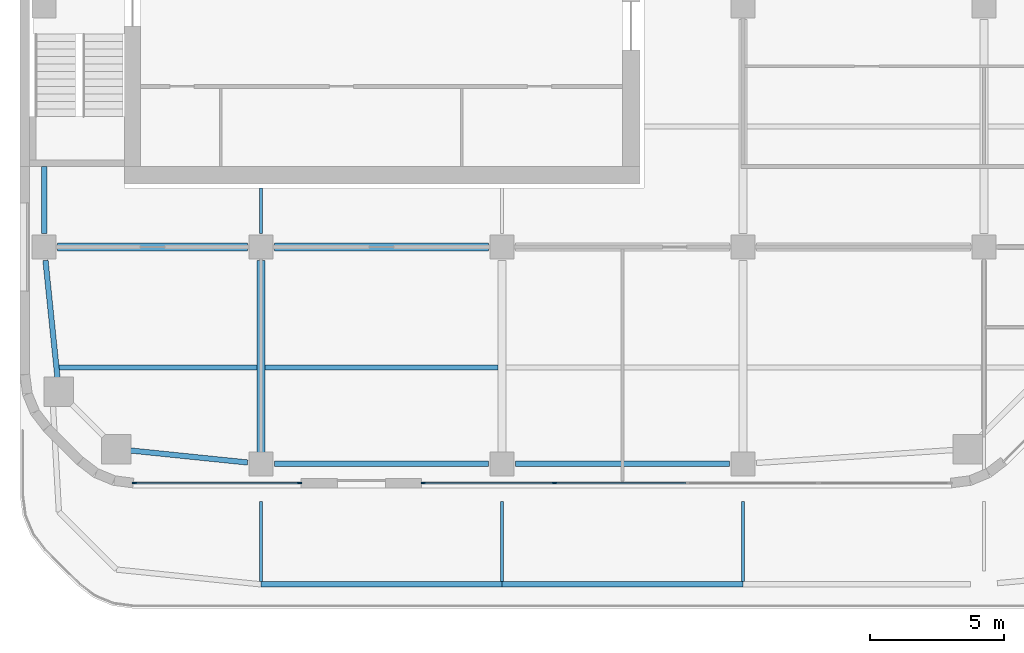
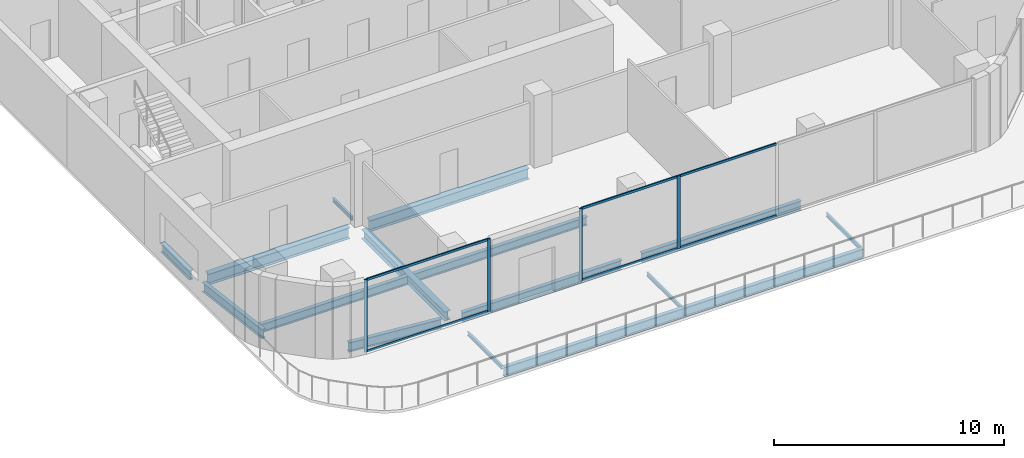
# One storey, part 2 of 29: 16 beams, 10 members, 2 elements without a shape of their own.
"""IFC4 building model written with IfcOpenShell, lengths in metres."""

from ifc_helpers import new_model, si_unit, direction, frame, origin, origin_2d, place, context, subcontext, project, spatial, rectangle, i_section, extrude, material, material_profile, profile_set, type_object, element, aggregate, save


model = new_model("IFC4")

# Units and contexts
model_context = context("Model", 3, precision=1e-05, world=origin(), true_north=direction((0.0, 1.0)))
body_context = subcontext(model_context, "Body", "Model", "MODEL_VIEW")
ifc_project = project(units=[si_unit("LENGTHUNIT", "METRE"), si_unit("AREAUNIT", "SQUARE_METRE"), si_unit("VOLUMEUNIT", "CUBIC_METRE"), si_unit("PLANEANGLEUNIT", "RADIAN"), si_unit("MASSUNIT", "GRAM", prefix="KILO")], contexts=[model_context])

# Site, building, storey
site_placement = place(None, origin())
site = spatial("IfcSite", under=ifc_project, at=site_placement, CompositionType="ELEMENT")
building_placement = place(site_placement, origin())
building = spatial("IfcBuilding", under=site, at=building_placement, Name="Cinnabar Reach Civic Tower", CompositionType="ELEMENT")
storey_placement = place(building_placement, frame((0.0, 0.0, 149.0)))
storey = spatial("IfcBuildingStorey", under=building, at=storey_placement, Name="L35", CompositionType="ELEMENT", Elevation=149.0)

# Beams
ifc_material_1 = material(Name="Steel Q355B", Category="steel")
ifc_material_profile_1 = material_profile(ifc_material_1, i_section(OverallWidth=0.3, OverallDepth=0.488, WebThickness=0.011, FlangeThickness=0.018, FilletRadius=0.016, at=origin_2d()), Name="HM488x300x11x18")
ifc_profile_set_1 = profile_set([ifc_material_profile_1], Name="Steel Q355B")
beam_type_1 = type_object("IfcBeamType", Name="HM488x300x11x18 beam R 180", PredefinedType="BEAM", material=ifc_profile_set_1)
beam_1_placement = place(storey_placement, frame((9.0, 10.252, -0.394), z_axis=(0.0, 1.0, 0.0), x_axis=(-1.0, 0.0, 0.0)))
element("IfcBeam", 1, at=beam_1_placement, inside=storey, type_object=beam_type_1, Name="Girder T1 L35 2", PredefinedType="BEAM", context=body_context, shape_type="SweptSolid", body=[
    extrude(i_section(OverallWidth=0.3, OverallDepth=0.488, WebThickness=0.011, FlangeThickness=0.018, FilletRadius=0.016, at=origin_2d()), origin(), (0.0, 0.0, 1.0), 7.246),
])
ifc_material_profile_2 = material_profile(ifc_material_1, i_section(OverallWidth=0.3, OverallDepth=0.588, WebThickness=0.012, FlangeThickness=0.02, FilletRadius=0.016, at=origin_2d()), Name="HM588x300x12x20")
ifc_profile_set_2 = profile_set([ifc_material_profile_2], Name="Steel Q355B")
beam_type_2 = type_object("IfcBeamType", Name="HM588x300x12x20 beam R 180", PredefinedType="BEAM", material=ifc_profile_set_2)
beam_2_placement = place(storey_placement, frame((1.402, 18.0, -0.444), z_axis=(1.0, 0.0, 0.0), x_axis=(0.0, 1.0, 0.0)))
element("IfcBeam", 2, at=beam_2_placement, inside=storey, type_object=beam_type_2, Name="Girder T1 L35 1", PredefinedType="BEAM", context=body_context, shape_type="SweptSolid", body=[
    extrude(i_section(OverallWidth=0.3, OverallDepth=0.588, WebThickness=0.012, FlangeThickness=0.02, FilletRadius=0.016, at=origin_2d()), origin(), (0.0, 0.0, 1.0), 7.096),
])
beam_3_placement = place(storey_placement, frame((9.502, 18.0, -0.444), z_axis=(1.0, 0.0, 0.0), x_axis=(0.0, 1.0, 0.0)))
element("IfcBeam", 3, at=beam_3_placement, inside=storey, type_object=beam_type_2, Name="Girder T1 L35 2", PredefinedType="BEAM", context=body_context, shape_type="SweptSolid", body=[
    extrude(i_section(OverallWidth=0.3, OverallDepth=0.588, WebThickness=0.012, FlangeThickness=0.02, FilletRadius=0.016, at=origin_2d()), origin(), (0.0, 0.0, 1.0), 7.996),
])
ifc_material_profile_3 = material_profile(ifc_material_1, i_section(OverallWidth=0.099, OverallDepth=0.198, WebThickness=0.0045, FlangeThickness=0.007, FilletRadius=0.013, at=origin_2d()), Name="HN200x100x5.5x8")
ifc_profile_set_3 = profile_set([ifc_material_profile_3], Name="Steel Q355B")
beam_type_3 = type_object("IfcBeamType", Name="HN200x100x5.5x8 beam R 180", PredefinedType="BEAM", material=ifc_profile_set_3)
beam_4_placement = place(storey_placement, frame((9.0, 5.5025, -0.249), z_axis=(0.0, 1.0, 0.0), x_axis=(-1.0, 0.0, 0.0)))
element("IfcBeam", 4, at=beam_4_placement, inside=storey, type_object=beam_type_3, Name="Girder T1 L35 1", PredefinedType="BEAM", context=body_context, shape_type="SweptSolid", body=[
    extrude(i_section(OverallWidth=0.099, OverallDepth=0.198, WebThickness=0.0045, FlangeThickness=0.007, FilletRadius=0.013, at=origin_2d()), origin(), (0.0, 0.0, 1.0), 2.9955),
])
beam_5_placement = place(storey_placement, frame((9.0, 18.502, -0.249), z_axis=(0.0, 1.0, 0.0), x_axis=(-1.0, 0.0, 0.0)))
element("IfcBeam", 5, at=beam_5_placement, inside=storey, type_object=beam_type_3, Name="Girder T1 L35 3", PredefinedType="BEAM", context=body_context, shape_type="SweptSolid", body=[
    extrude(i_section(OverallWidth=0.099, OverallDepth=0.198, WebThickness=0.0045, FlangeThickness=0.007, FilletRadius=0.013, at=origin_2d()), origin(), (0.0, 0.0, 1.0), 1.696),
])
for number, where, z_axis, x_axis, name in (
    (6, (18.0, 5.502, -0.249), (0.0, 1.0, 0.0), (-1.0, 0.0, 0.0), "Girder T1 L35 5"),
    (7, (27.0, 5.502, -0.249), (0.0, 1.0, 0.0), (-1.0, 0.0, 0.0), "Girder T1 L35 9"),
):
    element("IfcBeam", number, at=place(storey_placement, frame(where, z_axis=z_axis, x_axis=x_axis)), inside=storey, type_object=beam_type_3, Name=name, PredefinedType="BEAM", context=body_context, shape_type="SweptSolid", body=[
        extrude(i_section(OverallWidth=0.099, OverallDepth=0.198, WebThickness=0.0045, FlangeThickness=0.007, FilletRadius=0.013, at=origin_2d()), origin(), (0.0, 0.0, 1.0), 2.996),
    ])
ifc_material_profile_4 = material_profile(ifc_material_1, i_section(OverallWidth=0.2, OverallDepth=0.45, WebThickness=0.009, FlangeThickness=0.014, FilletRadius=0.016, at=origin_2d()), Name="HN450x200x9x14")
ifc_profile_set_4 = profile_set([ifc_material_profile_4], Name="Steel Q355B")
beam_type_4 = type_object("IfcBeamType", Name="HN450x200x9x14 beam R 180", PredefinedType="BEAM", material=ifc_profile_set_4)
beam_6_placement = place(storey_placement, frame((1.4636, 13.5, -0.375), z_axis=(1.0, 0.0, 0.0), x_axis=(0.0, 1.0, 0.0)))
element("IfcBeam", 8, at=beam_6_placement, inside=storey, type_object=beam_type_4, Name="Secondary beam T1 L35 1", PredefinedType="BEAM", context=body_context, shape_type="SweptSolid", body=[
    extrude(i_section(OverallWidth=0.2, OverallDepth=0.45, WebThickness=0.009, FlangeThickness=0.014, FilletRadius=0.016, at=origin_2d()), origin(), (0.0, 0.0, 1.0), 7.3844),
])
beam_7_placement = place(storey_placement, frame((9.152, 13.5, -0.375), z_axis=(1.0, 0.0, 0.0), x_axis=(0.0, 1.0, 0.0)))
element("IfcBeam", 9, at=beam_7_placement, inside=storey, type_object=beam_type_4, Name="Secondary beam T1 L35 2", PredefinedType="BEAM", context=body_context, shape_type="SweptSolid", body=[
    extrude(i_section(OverallWidth=0.2, OverallDepth=0.45, WebThickness=0.009, FlangeThickness=0.014, FilletRadius=0.016, at=origin_2d()), origin(), (0.0, 0.0, 1.0), 8.696),
])
ifc_material_profile_5 = material_profile(ifc_material_1, i_section(OverallWidth=0.2, OverallDepth=0.5, WebThickness=0.01, FlangeThickness=0.016, FilletRadius=0.016, at=origin_2d()), Name="HN500x200x10x16")
ifc_profile_set_5 = profile_set([ifc_material_profile_5], Name="Steel Q355B")
beam_type_5 = type_object("IfcBeamType", Name="HN500x200x10x16 beam R 180", PredefinedType="BEAM", material=ifc_profile_set_5)
beam_8_placement = place(storey_placement, frame((4.0839, 10.4037, -0.4), z_axis=(0.994791228755, -0.101933366432, 0.0), x_axis=(0.101933366432, 0.994791228755, 0.0)))
element("IfcBeam", 10, at=beam_8_placement, inside=storey, type_object=beam_type_5, Name="Edge beam T1 L35 1", PredefinedType="BEAM", context=body_context, shape_type="SweptSolid", body=[
    extrude(i_section(OverallWidth=0.2, OverallDepth=0.5, WebThickness=0.01, FlangeThickness=0.016, FilletRadius=0.016, at=origin_2d()), origin(), (0.0, 0.0, 1.0), 4.4372),
])
for number, where, z_axis, x_axis, name in (
    (11, (9.502, 9.9, -0.4), (1.0, 0.0, 0.0), (0.0, 1.0, 0.0), "Edge beam T1 L35 2"),
    (12, (18.502, 9.9, -0.4), (1.0, 0.0, 0.0), (0.0, 1.0, 0.0), "Edge beam T1 L35 3"),
):
    element("IfcBeam", number, at=place(storey_placement, frame(where, z_axis=z_axis, x_axis=x_axis)), inside=storey, type_object=beam_type_5, Name=name, PredefinedType="BEAM", context=body_context, shape_type="SweptSolid", body=[
        extrude(i_section(OverallWidth=0.2, OverallDepth=0.5, WebThickness=0.01, FlangeThickness=0.016, FilletRadius=0.016, at=origin_2d()), origin(), (0.0, 0.0, 1.0), 7.996),
    ])
beam_9_placement = place(storey_placement, frame((0.9, 20.998, -0.4), z_axis=(0.0, -1.0, 0.0), x_axis=(1.0, 0.0, 0.0)))
element("IfcBeam", 13, at=beam_9_placement, inside=storey, type_object=beam_type_5, Name="Edge beam T1 L35 19", PredefinedType="BEAM", context=body_context, shape_type="SweptSolid", body=[
    extrude(i_section(OverallWidth=0.2, OverallDepth=0.5, WebThickness=0.01, FlangeThickness=0.016, FilletRadius=0.016, at=origin_2d()), origin(), (0.0, 0.0, 1.0), 2.496),
])
beam_10_placement = place(storey_placement, frame((0.9514, 17.498, -0.4), z_axis=(0.101933366432, -0.994791228755, 0.0), x_axis=(0.994791228755, 0.101933366432, 0.0)))
element("IfcBeam", 14, at=beam_10_placement, inside=storey, type_object=beam_type_5, Name="Edge beam T1 L35 20", PredefinedType="BEAM", context=body_context, shape_type="SweptSolid", body=[
    extrude(i_section(OverallWidth=0.2, OverallDepth=0.5, WebThickness=0.01, FlangeThickness=0.016, FilletRadius=0.016, at=origin_2d()), origin(), (0.0, 0.0, 1.0), 4.4372),
])
for number, where, z_axis, x_axis, name in (
    (15, (9.0, 5.4, -0.4), (1.0, 0.0, 0.0), (0.0, 1.0, 0.0), "Edge beam T1 L35 23"),
    (16, (18.0, 5.4, -0.4), (1.0, 0.0, 0.0), (0.0, 1.0, 0.0), "Edge beam T1 L35 24"),
):
    element("IfcBeam", number, at=place(storey_placement, frame(where, z_axis=z_axis, x_axis=x_axis)), inside=storey, type_object=beam_type_5, Name=name, PredefinedType="BEAM", context=body_context, shape_type="SweptSolid", body=[
        extrude(i_section(OverallWidth=0.2, OverallDepth=0.5, WebThickness=0.01, FlangeThickness=0.016, FilletRadius=0.016, at=origin_2d()), origin(), (0.0, 0.0, 1.0), 9.0),
    ])

# Curtain wall, members
ifc_material_2 = material(Name="Aluminium and clear double glazing", Category="aluminium")
curtain_wall_type = type_object("IfcCurtainWallType", Name="Tower 1 sky lobby curtain wall", PredefinedType="NOTDEFINED", material=ifc_material_2)
curtain_wall_1_placement = place(storey_placement, origin())
curtain_wall_1 = element("IfcCurtainWall", 17, at=curtain_wall_1_placement, inside=storey, type_object=curtain_wall_type, Name="Tower 1 sky lobby 1", PredefinedType="NOTDEFINED")
ifc_material_3 = material(Name="Aluminium", Category="aluminium")
ifc_material_profile_6 = material_profile(ifc_material_3, rectangle(XDim=0.06, YDim=0.16, at=origin_2d()), Name="Tower 1 sky lobby mullion")
ifc_profile_set_6 = profile_set([ifc_material_profile_6], Name="Aluminium")
member_type_1 = type_object("IfcMemberType", Name="Tower 1 sky lobby mullion", PredefinedType="MULLION", material=ifc_profile_set_6)
member_1_placement = place(storey_placement, frame((4.2726, 9.18, 0.0), z_axis=(0.0, 0.0, 1.0), x_axis=(0.0, 1.0, 0.0)))
member_1 = element("IfcMember", 18, at=member_1_placement, type_object=member_type_1, Name="CW-T1SKY-1 mullion 1", PredefinedType="MULLION", context=body_context, shape_type="SweptSolid", body=[
    extrude(rectangle(XDim=0.06, YDim=0.16, at=origin_2d()), origin(), (0.0, 0.0, 1.0), 3.85),
])
member_2_placement = place(storey_placement, frame((10.44, 9.18, 0.0), z_axis=(0.0, 0.0, 1.0), x_axis=(0.0, 1.0, 0.0)))
member_2 = element("IfcMember", 19, at=member_2_placement, type_object=member_type_1, Name="CW-T1SKY-1 mullion 2", PredefinedType="MULLION", context=body_context, shape_type="SweptSolid", body=[
    extrude(rectangle(XDim=0.06, YDim=0.16, at=origin_2d()), origin(), (0.0, 0.0, 1.0), 3.85),
])

curtain_wall_2_placement = place(storey_placement, origin())
curtain_wall_2 = element("IfcCurtainWall", 20, at=curtain_wall_2_placement, inside=storey, type_object=curtain_wall_type, Name="Tower 1 sky lobby 2", PredefinedType="NOTDEFINED")
member_3_placement = place(storey_placement, frame((15.06, 9.18, 0.0), z_axis=(0.0, 0.0, 1.0), x_axis=(0.0, 1.0, 0.0)))
member_3 = element("IfcMember", 21, at=member_3_placement, type_object=member_type_1, Name="CW-T1SKY-2 mullion 1", PredefinedType="MULLION", context=body_context, shape_type="SweptSolid", body=[
    extrude(rectangle(XDim=0.06, YDim=0.16, at=origin_2d()), origin(), (0.0, 0.0, 1.0), 3.85),
])
member_4_placement = place(storey_placement, frame((19.9618, 9.18, 0.0), z_axis=(0.0, 0.0, 1.0), x_axis=(0.0, 1.0, 0.0)))
member_4 = element("IfcMember", 22, at=member_4_placement, type_object=member_type_1, Name="CW-T1SKY-2 mullion 2", PredefinedType="MULLION", context=body_context, shape_type="SweptSolid", body=[
    extrude(rectangle(XDim=0.06, YDim=0.16, at=origin_2d()), origin(), (0.0, 0.0, 1.0), 3.85),
])

# Member
ifc_material_profile_7 = material_profile(ifc_material_3, rectangle(XDim=0.06, YDim=0.12, at=origin_2d()), Name="Tower 1 sky lobby transom")
ifc_profile_set_7 = profile_set([ifc_material_profile_7], Name="Aluminium")
member_type_2 = type_object("IfcMemberType", Name="Tower 1 sky lobby transom", PredefinedType="USERDEFINED", material=ifc_profile_set_7)
member_5_placement = place(storey_placement, frame((4.3026, 9.18, 0.03), z_axis=(1.0, 0.0, 0.0), x_axis=(0.0, 1.0, 0.0)))
member_5 = element("IfcMember", 23, at=member_5_placement, type_object=member_type_2, Name="CW-T1SKY-1 transom 1.1", ObjectType="TRANSOM", PredefinedType="USERDEFINED", context=body_context, shape_type="SweptSolid", body=[
    extrude(rectangle(XDim=0.06, YDim=0.12, at=origin_2d()), origin(), (0.0, 0.0, 1.0), 6.1074),
])

member_6_placement = place(storey_placement, frame((4.3026, 9.18, 3.82), z_axis=(1.0, 0.0, 0.0), x_axis=(0.0, 1.0, 0.0)))
member_6 = element("IfcMember", 24, at=member_6_placement, type_object=member_type_2, Name="CW-T1SKY-1 transom 1.2", ObjectType="TRANSOM", PredefinedType="USERDEFINED", context=body_context, shape_type="SweptSolid", body=[
    extrude(rectangle(XDim=0.06, YDim=0.12, at=origin_2d()), origin(), (0.0, 0.0, 1.0), 6.1074),
])

aggregate(curtain_wall_1, [member_1, member_2, member_5, member_6])

member_7_placement = place(storey_placement, frame((15.09, 9.18, 0.03), z_axis=(1.0, 0.0, 0.0), x_axis=(0.0, 1.0, 0.0)))
member_7 = element("IfcMember", 25, at=member_7_placement, type_object=member_type_2, Name="CW-T1SKY-2 transom 1.1", ObjectType="TRANSOM", PredefinedType="USERDEFINED", context=body_context, shape_type="SweptSolid", body=[
    extrude(rectangle(XDim=0.06, YDim=0.12, at=origin_2d()), origin(), (0.0, 0.0, 1.0), 4.8419),
])

member_8_placement = place(storey_placement, frame((15.09, 9.18, 3.82), z_axis=(1.0, 0.0, 0.0), x_axis=(0.0, 1.0, 0.0)))
member_8 = element("IfcMember", 26, at=member_8_placement, type_object=member_type_2, Name="CW-T1SKY-2 transom 1.2", ObjectType="TRANSOM", PredefinedType="USERDEFINED", context=body_context, shape_type="SweptSolid", body=[
    extrude(rectangle(XDim=0.06, YDim=0.12, at=origin_2d()), origin(), (0.0, 0.0, 1.0), 4.8419),
])

member_9_placement = place(storey_placement, frame((19.9918, 9.18, 0.03), z_axis=(1.0, 0.0, 0.0), x_axis=(0.0, 1.0, 0.0)))
member_9 = element("IfcMember", 27, at=member_9_placement, type_object=member_type_2, Name="CW-T1SKY-2 transom 2.1", ObjectType="TRANSOM", PredefinedType="USERDEFINED", context=body_context, shape_type="SweptSolid", body=[
    extrude(rectangle(XDim=0.06, YDim=0.12, at=origin_2d()), origin(), (0.0, 0.0, 1.0), 4.8719),
])

member_10_placement = place(storey_placement, frame((19.9918, 9.18, 3.82), z_axis=(1.0, 0.0, 0.0), x_axis=(0.0, 1.0, 0.0)))
member_10 = element("IfcMember", 28, at=member_10_placement, type_object=member_type_2, Name="CW-T1SKY-2 transom 2.2", ObjectType="TRANSOM", PredefinedType="USERDEFINED", context=body_context, shape_type="SweptSolid", body=[
    extrude(rectangle(XDim=0.06, YDim=0.12, at=origin_2d()), origin(), (0.0, 0.0, 1.0), 4.8719),
])

aggregate(curtain_wall_2, [member_3, member_4, member_7, member_8, member_9, member_10])

save(model, "model.ifc")
